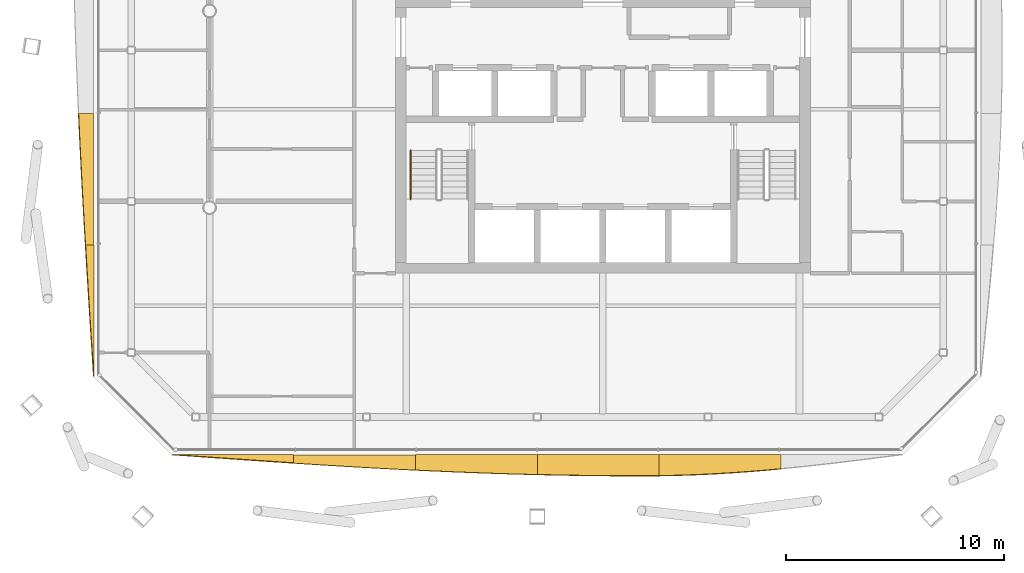
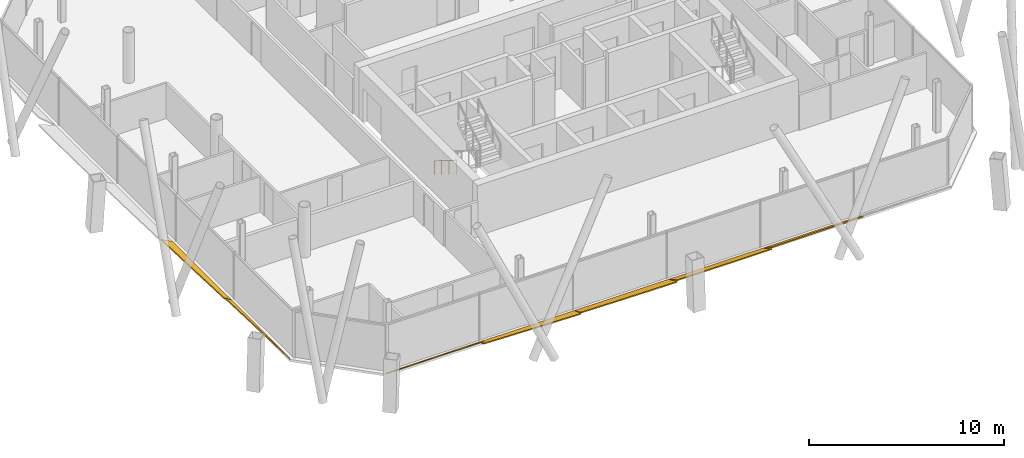
# One storey, part 16 of 19: 7 shading devices, 1 railing.
"""IFC4 building model written with IfcOpenShell, lengths in metres."""

import ifcopenshell
import ifcopenshell.guid

model = None  # the IFC model being written
_history = None  # IfcOwnerHistory: only IFC2X3 demands one
_inside = {}  # id of a spatial element -> (the spatial element, [elements in it])
_under = {}  # id of a project, library or spatial element -> (it, [spatial elements below it])
_declared = {}  # id of a project -> (the project, [libraries it declares])
_typed = {}  # id of a type object -> (the type object, [elements of that type])
_made_of = {}  # id of a material, layer set ... -> (it, [elements and type objects made of it])


def new_model(schema):
    """Start an empty IFC model of exactly this schema.

    Asked for "IFC4X3", IfcOpenShell would pick the latest addendum, in which some entities
    have other attributes; the version numbers below select the first issue.
    IFC2X3 requires an IfcOwnerHistory on every rooted entity: one is made here for all.
    """
    global model, _history
    if schema == "IFC4X3":
        model = ifcopenshell.file(schema_version=(4, 3, 0, 0))
    else:
        model = ifcopenshell.file(schema=schema)
    _inside.clear()
    _under.clear()
    _declared.clear()
    _typed.clear()
    _made_of.clear()
    _history = None
    if model.schema == "IFC2X3":
        org = make("IfcOrganization", Name="unknown")
        user = make(
            "IfcPersonAndOrganization",
            ThePerson=make("IfcPerson", FamilyName="unknown"),
            TheOrganization=org,
        )
        app = make(
            "IfcApplication",
            ApplicationDeveloper=org,
            Version="unknown",
            ApplicationFullName="unknown",
            ApplicationIdentifier="unknown",
        )
        _history = make(
            "IfcOwnerHistory",
            OwningUser=user,
            OwningApplication=app,
            ChangeAction="ADDED",
            CreationDate=0,
        )
    return model


def make(cls, **values):
    """One entity of the class cls with the attributes given. An attribute that is None is left unset."""
    return model.create_entity(
        cls, **{name: value for name, value in values.items() if value is not None}
    )


def rooted(cls, **values):
    """An entity with a GlobalId (a new one), such as an element, a storey or a relation."""
    return make(cls, GlobalId=ifcopenshell.guid.new(), OwnerHistory=_history, **values)


def si_unit(unit_type, name, prefix=None):
    """IfcSIUnit, for example si_unit("LENGTHUNIT", "METRE", prefix="MILLI")."""
    return make("IfcSIUnit", UnitType=unit_type, Prefix=prefix, Name=name)


def assignment(units):
    """IfcUnitAssignment: the units of a project."""
    return None if units is None else make("IfcUnitAssignment", Units=units)


def point(xyz):
    """IfcCartesianPoint."""
    return None if xyz is None else make("IfcCartesianPoint", Coordinates=xyz)


def direction(xyz):
    """IfcDirection."""
    return None if xyz is None else make("IfcDirection", DirectionRatios=xyz)


def frame(location, z_axis=None, x_axis=None):
    """IfcAxis2Placement3D, a coordinate frame: its origin and axes. An axis left out is left unset."""
    return make(
        "IfcAxis2Placement3D",
        Location=point(location),
        Axis=direction(z_axis),
        RefDirection=direction(x_axis),
    )


def frame_2d(location, x_axis=None):
    """IfcAxis2Placement2D, a coordinate frame in the plane: its origin and x axis."""
    return make(
        "IfcAxis2Placement2D", Location=point(location), RefDirection=direction(x_axis)
    )


def origin():
    """The frame at (0, 0, 0) with its axes left unset."""
    return frame((0.0, 0.0, 0.0))


def origin_2d():
    """The frame at (0, 0) in the plane with its x axis left unset."""
    return frame_2d((0.0, 0.0))


def place(relative_to, where):
    """IfcLocalPlacement: puts the frame where relative to a parent placement (None: the world)."""
    return make(
        "IfcLocalPlacement", PlacementRelTo=relative_to, RelativePlacement=where
    )


def context(
    kind, dimensions, precision=None, world=None, true_north=None, identifier=None
):
    """IfcGeometricRepresentationContext, for example the 3D "Model" context."""
    return make(
        "IfcGeometricRepresentationContext",
        ContextIdentifier=identifier,
        ContextType=kind,
        CoordinateSpaceDimension=dimensions,
        Precision=precision,
        WorldCoordinateSystem=world,
        TrueNorth=true_north,
    )


def subcontext(parent, identifier, kind, view, scale=None):
    """IfcGeometricRepresentationSubContext, for example "Body" below "Model"."""
    return make(
        "IfcGeometricRepresentationSubContext",
        ContextIdentifier=identifier,
        ContextType=kind,
        ParentContext=parent,
        TargetScale=scale,
        TargetView=view,
    )


def project(units=None, contexts=None):
    """IfcProject with its units and contexts."""
    return rooted(
        "IfcProject",
        Name="project",
        RepresentationContexts=contexts,
        UnitsInContext=assignment(units),
    )


def spatial(cls, under=None, at=None, **own):
    """A site, building, storey or space (cls), placed at a placement, below another one or the project."""
    s = rooted(cls, ObjectPlacement=at, **own)
    if under is not None:
        _under.setdefault(under.id(), (under, []))[1].append(s)
    return s


def polyline(points):
    """IfcPolyline through the points."""
    return make("IfcPolyline", Points=[point(p) for p in points])


def profile(cls, at=None, kind="AREA", **sizes):
    """A parametric profile (cls). Its sizes go by their IFC names, for example OverallWidth=200.0."""
    return make(cls, ProfileType=kind, Position=at, **sizes)


def circle(**sizes):
    """IfcCircleProfileDef."""
    return profile("IfcCircleProfileDef", **sizes)


def outline(outer, holes=None, kind="AREA"):
    """IfcArbitraryClosedProfileDef: a profile drawn as a closed curve; with holes, ...WithVoids."""
    if holes is None:
        return make("IfcArbitraryClosedProfileDef", ProfileType=kind, OuterCurve=outer)
    return make(
        "IfcArbitraryProfileDefWithVoids",
        ProfileType=kind,
        OuterCurve=outer,
        InnerCurves=holes,
    )


def extrude(swept, where, along, depth):
    """IfcExtrudedAreaSolid: the profile swept, set in the frame where, extruded along a direction by depth."""
    return make(
        "IfcExtrudedAreaSolid",
        SweptArea=swept,
        Position=where,
        ExtrudedDirection=direction(along),
        Depth=depth,
    )


def shape(context_of_items, identifier, shape_type, items):
    """IfcShapeRepresentation: the items that make up one representation, for example the "Body"."""
    return make(
        "IfcShapeRepresentation",
        ContextOfItems=context_of_items,
        RepresentationIdentifier=identifier,
        RepresentationType=shape_type,
        Items=items,
    )


def material(Name=None, Category=None):
    """IfcMaterial."""
    return make("IfcMaterial", Name=Name, Category=Category)


def layer(
    of_material, thickness, ventilated=None, Name=None, Category=None, Priority=None
):
    """IfcMaterialLayer: one layer of a wall or slab, of a material (None: an air gap)."""
    return make(
        "IfcMaterialLayer",
        Material=of_material,
        LayerThickness=thickness,
        IsVentilated=ventilated,
        Name=Name,
        Category=Category,
        Priority=Priority,
    )


def layer_set(layers, Name=None):
    """IfcMaterialLayerSet."""
    return make("IfcMaterialLayerSet", MaterialLayers=layers, LayerSetName=Name)


def made_of(thing, what):
    """Note that an element or type object is made of a material, layer set ...; save() writes the relation."""
    if what is not None:
        _made_of.setdefault(what.id(), (what, []))[1].append(thing)
    return thing


def type_object(cls, material=None, **own):
    """A type object (cls), such as IfcWallType, which elements share."""
    return made_of(rooted(cls, **own), material)


def element(
    cls,
    number,
    at=None,
    inside=None,
    cuts=None,
    type_object=None,
    material=None,
    context=None,
    identifier="Body",
    shape_type=None,
    held_by="IfcProductDefinitionShape",
    body=None,
    shapes=None,
    **own,
):
    """One element of the class cls, such as IfcWall. Its Tag is "e" and its number.

    at: its placement. inside: the storey or other place that contains it. cuts: it is an
    opening in that element (IfcRelVoidsElement). A single representation is given by context,
    identifier, shape_type and body (its items); several are given by shapes. held_by: the class
    of the entity that holds the representations. save() writes the other relations.
    """
    e = rooted(cls, Tag="e%d" % number, ObjectPlacement=at, **own)
    if body is not None:
        shapes = [shape(context, identifier, shape_type, body)]
    if shapes is not None:
        e.Representation = make(held_by, Representations=shapes)
    if inside is not None:
        _inside.setdefault(inside.id(), (inside, []))[1].append(e)
    if cuts is not None:
        rooted(
            "IfcRelVoidsElement", RelatingBuildingElement=cuts, RelatedOpeningElement=e
        )
    if type_object is not None:
        _typed.setdefault(type_object.id(), (type_object, []))[1].append(e)
    return made_of(e, material)


def aggregate(whole, parts):
    """IfcRelAggregates: a whole, such as a stair, and the parts it consists of."""
    return rooted("IfcRelAggregates", RelatingObject=whole, RelatedObjects=parts)


def save(model, path):
    """Write the relations noted so far, then the file.

    IfcRelAggregates (storeys below a building ...), IfcRelContainedInSpatialStructure (elements
    in a storey), IfcRelDefinesByType, IfcRelAssociatesMaterial and IfcRelDeclares: one each for
    every whole, place, type object, material and project.
    """
    for whole, parts in _under.values():
        aggregate(whole, parts)
    for where, things in _inside.values():
        rooted(
            "IfcRelContainedInSpatialStructure",
            RelatedElements=things,
            RelatingStructure=where,
        )
    for kind, things in _typed.values():
        rooted("IfcRelDefinesByType", RelatedObjects=things, RelatingType=kind)
    for what, things in _made_of.values():
        rooted("IfcRelAssociatesMaterial", RelatedObjects=things, RelatingMaterial=what)
    for by, libraries in _declared.values():
        rooted("IfcRelDeclares", RelatingContext=by, RelatedDefinitions=libraries)
    model.write(path)


model = new_model("IFC4")

# Units and contexts
model_context = context("Model", 3, precision=1e-05, world=origin(), true_north=direction((0.0, 1.0)))
body_context = subcontext(model_context, "Body", "Model", "MODEL_VIEW")
ifc_project = project(units=[si_unit("LENGTHUNIT", "METRE"), si_unit("AREAUNIT", "SQUARE_METRE"), si_unit("VOLUMEUNIT", "CUBIC_METRE"), si_unit("PLANEANGLEUNIT", "RADIAN"), si_unit("MASSUNIT", "GRAM", prefix="KILO")], contexts=[model_context])

# Site, building, storey
site_placement = place(None, origin())
site = spatial("IfcSite", under=ifc_project, at=site_placement, CompositionType="ELEMENT")
building_placement = place(site_placement, origin())
building = spatial("IfcBuilding", under=site, at=building_placement, Name="Tskaro Facet Tower", CompositionType="ELEMENT")
storey_placement = place(building_placement, frame((0.0, 0.0, 191.10009765625)))
storey = spatial("IfcBuildingStorey", under=building, at=storey_placement, Name="L48", CompositionType="ELEMENT", Elevation=191.10009765625)

# Shading devices
ifc_material_1 = material(Name="Bronze anodised aluminium 6063-T6", Category="aluminium")
ifc_layer = layer(ifc_material_1, 0.06005859375, Name="Bronze anodised aluminium 6063-T6")
ifc_layer_set = layer_set([ifc_layer], Name="Bronze anodised aluminium 6063-T6")
shading_device_type = type_object("IfcShadingDeviceType", Name="Bronze sun blade (FN1)", PredefinedType="USERDEFINED", material=ifc_layer_set)
shading_device_1_placement = place(storey_placement, frame((-19.721923828125, -20.29150390625, 0.0458984375), z_axis=(-1.7729512e-05, 0.642808208656, 0.766027157854), x_axis=(0.999999999843, 1.1396676e-05, 1.3581288e-05)))
element("IfcShadingDevice", 1, at=shading_device_1_placement, inside=storey, type_object=shading_device_type, Name="Fin blade south 1", ObjectType="FIN", PredefinedType="USERDEFINED", context=body_context, shape_type="SweptSolid", body=[
    extrude(outline(polyline([(0.0, 0.0), (5.573974608498951, 9.442680282599087e-21), (5.573974610294872, -0.5004599260648979), (4.877197263074042, -0.44069167032152556), (4.180419920351292, -0.37986146998601156), (3.4836425760284837, -0.31799940780962965), (2.7868652367371065, -0.255419354988062), (2.090087890280888, -0.19218147702385635), (1.3933105460737096, -0.12841262676357984), (0.6967773447405314, -0.06411280420723246), (0.0, 0.0)])), origin(), (0.0, 0.0, -1.0), 0.06005859375),
])
shading_device_2_placement = place(storey_placement, frame((-14.14794921875, -20.3095703125, 0.056396484375), z_axis=(1.932373e-06, 0.341864201181, 0.93974936443), x_axis=(0.999999999998, -6.60609e-07, -1.815947e-06)))
element("IfcShadingDevice", 2, at=shading_device_2_placement, inside=storey, type_object=shading_device_type, Name="Fin blade south 2", ObjectType="FIN", PredefinedType="USERDEFINED", context=body_context, shape_type="SweptSolid", body=[
    extrude(outline(polyline([(0.0, 0.0), (5.573974609364593, 0.0), (5.573974609430298, -0.7492316196439377), (4.877197265390281, -0.7123958081181528), (4.180419921994678, -0.673620127853171), (3.4836425781955156, -0.6328420737312996), (2.786865234476638, -0.5907499387440661), (2.090087890676764, -0.5471142918942946), (1.3935546874208926, -0.501935133181985), (0.6967773436203066, -0.45544189360431336), (6.128717016455012e-11, -0.40786400415845525), (0.0, 0.0)])), origin(), (0.0, 0.0, -1.0), 0.06005859375),
])
shading_device_3_placement = place(storey_placement, frame((-8.573974609375, -20.3046875, 0.05419921875), z_axis=(-4.120703e-06, 0.422717109976, 0.906261686775), x_axis=(0.999999999992, 1.741892e-06, 3.734436e-06)))
element("IfcShadingDevice", 3, at=shading_device_3_placement, inside=storey, type_object=shading_device_type, Name="Fin blade south 3", ObjectType="FIN", PredefinedType="USERDEFINED", context=body_context, shape_type="SweptSolid", body=[
    extrude(outline(polyline([(0.0, 0.0), (5.573974609327676, 0.0), (5.573974609002698, -1.0045300010419356), (4.877197266154873, -0.9844269716845089), (4.180419922150542, -0.9620378878729412), (3.4836425778402416, -0.9369202390179833), (2.7868652346221565, -0.9095016852531171), (2.090332030872564, -0.8797970770341103), (1.3935546875901912, -0.8477915639051948), (0.69677734357658, -0.8132787410275141), (-6.206141143003915e-10, -0.7771287791237991), (0.0, 0.0)])), origin(), (0.0, 0.0, -1.0), 0.06005859375),
])
shading_device_4_placement = place(storey_placement, frame((-3.0, -20.300048828125, 0.0517578125), z_axis=(-1.4947206e-05, 0.500078640284, 0.865979995905), x_axis=(0.999999999888, 7.474778e-06, 1.2943981e-05)))
element("IfcShadingDevice", 4, at=shading_device_4_placement, inside=storey, type_object=shading_device_type, Name="Fin blade south 4", ObjectType="FIN", PredefinedType="USERDEFINED", context=body_context, shape_type="SweptSolid", body=[
    extrude(outline(polyline([(0.0, 0.0), (5.5739746087523345, 0.0), (5.573974610050153, -1.1139322318017455), (4.877197264641717, -1.1195036343807934), (4.815917967773563, -1.1195036343807934), (4.180419921948839, -1.1184137717673441), (3.4836425772087667, -1.1141436526992068), (2.7871093737169814, -1.1073602979949078), (2.0903320307131823, -1.0975187763477223), (1.3935546869974431, -1.084830508655112), (0.6967773457299163, -1.0694175844288785), (-1.2345984342810134e-09, -1.0512472455428798), (0.0, 0.0)])), origin(), (0.0, 0.0, -1.0), 0.06005859375),
])
shading_device_5_placement = place(storey_placement, frame((2.573974609375, -20.295654296875, 0.049072265625), z_axis=(1.3246986e-05, 0.57360026383, 0.819135359485), x_axis=(0.999999999912, -7.598474e-06, -1.0851074e-05)))
element("IfcShadingDevice", 5, at=shading_device_5_placement, inside=storey, type_object=shading_device_type, Name="Fin blade south 5", ObjectType="FIN", PredefinedType="USERDEFINED", context=body_context, shape_type="SweptSolid", body=[
    extrude(outline(polyline([(0.0, 0.0), (5.5739746088859325, 0.0), (5.573974610126729, -0.7939309301749031), (4.877197264755579, -0.8712139639032865), (4.1804199206924055, -0.940976687880994), (3.4838867193562812, -1.0028790787624595), (2.787109375787055, -1.0565211681103999), (2.0903320303427924, -1.1010229250150418), (1.3935546883218708, -1.1361042712225373), (0.6967773425708165, -1.1618453007680927), (-8.179020768013141e-10, -1.1776259120522938), (0.0, 0.0)])), origin(), (0.0, 0.0, -1.0), 0.06005859375),
])
shading_device_6_placement = place(storey_placement, frame((-23.300048828125, -4.68359375, 0.0517578125), z_axis=(0.500147161617, 1.8914086e-05, 0.865940423106), x_axis=(9.459826e-06, -0.999999999821, 1.6378471e-05)))
element("IfcShadingDevice", 6, at=shading_device_6_placement, inside=storey, type_object=shading_device_type, Name="Fin blade west 4", ObjectType="FIN", PredefinedType="USERDEFINED", context=body_context, shape_type="SweptSolid", body=[
    extrude(outline(polyline([(0.0, 0.0), (6.019287108298323, 0.0), (6.019287109527446, -0.4314011080413641), (5.350341795498459, -0.47646067996487756), (4.6816406273338895, -0.5205525007031495), (4.012695313476997, -0.5636437690110255), (3.3439941414858723, -0.6056451798930089), (2.6752929667369076, -0.6464346271084489), (2.006347654913326, -0.6859228056618487), (1.3376464809568613, -0.724199020548705), (0.6687011722353077, -0.7609625555373734), (-2.6177791236557953e-09, -0.7963920206188473), (0.0, 0.0)])), origin(), (0.0, 0.0, -1.0), 0.06005859375),
])
shading_device_7_placement = place(storey_placement, frame((-23.295654296875, -10.702880859375, 0.049072265625), z_axis=(0.573659358733, -1.4682669e-05, 0.819093975025), x_axis=(-8.42285e-06, -0.999999999892, -1.2026486e-05)))
element("IfcShadingDevice", 7, at=shading_device_7_placement, inside=storey, type_object=shading_device_type, Name="Fin blade west 5", ObjectType="FIN", PredefinedType="USERDEFINED", context=body_context, shape_type="SweptSolid", body=[
    extrude(outline(polyline([(0.0, 0.0), (6.019042968101205, -5.098327705470586e-21), (5.350341795894166, -0.05188202964909777), (4.681640623687126, -0.10376405929819554), (4.012695310855112, -0.15564608894729332), (3.343994140407659, -0.20684806325756866), (2.6750488293352337, -0.258050037567844), (2.006347655654855, -0.3085120359786724), (1.33740234516545, -0.3584939531656962), (0.6687011720680928, -0.4077358944532731), (-1.326037022267434e-09, -0.4560978062870096), (0.0, 0.0)])), origin(), (0.0, 0.0, -1.0), 0.06005859375),
])

# Railing
ifc_material_2 = material(Name="Stainless steel", Category="steel")
railing_type = type_object("IfcRailingType", Name="RL-HANDRAIL-900", PredefinedType="HANDRAIL", material=ifc_material_2)
railing_placement = place(storey_placement, frame((-8.800048828125, -6.375, 0.1748046875)))
element("IfcRailing", 8, at=railing_placement, inside=storey, type_object=railing_type, Name="L48 ST-1 stair handrail 1", PredefinedType="HANDRAIL", context=body_context, shape_type="SweptSolid", body=[
    extrude(circle(Radius=0.02392578125, at=origin_2d()), frame((0.0, 0.0, 0.8759765625), z_axis=(0.0, -0.847972341737, 0.530040477369), x_axis=(1.0, 0.0, 0.0)), (0.0, 0.0, 1.0), 2.6416015625),
    extrude(circle(Radius=0.02099609375, at=origin_2d()), origin(), (0.0, 0.0, 1.0), 0.851806640625),
    extrude(circle(Radius=0.02099609375, at=origin_2d()), frame((0.0, -0.74658203125, 0.466796875)), (0.0, 0.0, 1.0), 0.851806640625),
    extrude(circle(Radius=0.02099609375, at=origin_2d()), frame((0.0, -1.493408203125, 0.933349609375)), (0.0, 0.0, 1.0), 0.851806640625),
    extrude(circle(Radius=0.02099609375, at=origin_2d()), frame((0.0, -2.239990234375, 1.400146484375)), (0.0, 0.0, 1.0), 0.851806640625),
])

save(model, "model.ifc")
